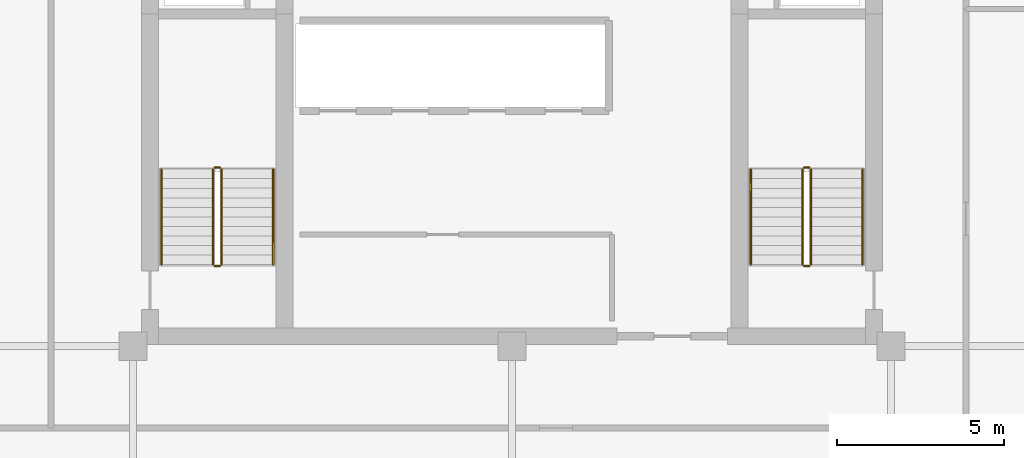
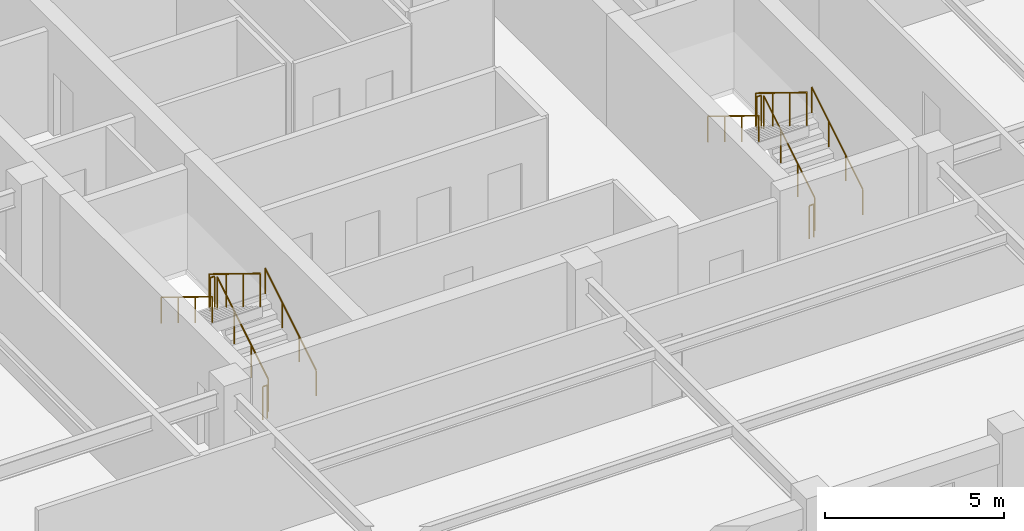
# One storey, part 6 of 6: 12 railings.
"""IFC4 building model written with IfcOpenShell, lengths in metres."""

import ifcopenshell
import ifcopenshell.guid

model = None  # the IFC model being written
_history = None  # IfcOwnerHistory: only IFC2X3 demands one
_inside = {}  # id of a spatial element -> (the spatial element, [elements in it])
_under = {}  # id of a project, library or spatial element -> (it, [spatial elements below it])
_declared = {}  # id of a project -> (the project, [libraries it declares])
_typed = {}  # id of a type object -> (the type object, [elements of that type])
_made_of = {}  # id of a material, layer set ... -> (it, [elements and type objects made of it])


def new_model(schema):
    """Start an empty IFC model of exactly this schema.

    Asked for "IFC4X3", IfcOpenShell would pick the latest addendum, in which some entities
    have other attributes; the version numbers below select the first issue.
    IFC2X3 requires an IfcOwnerHistory on every rooted entity: one is made here for all.
    """
    global model, _history
    if schema == "IFC4X3":
        model = ifcopenshell.file(schema_version=(4, 3, 0, 0))
    else:
        model = ifcopenshell.file(schema=schema)
    _inside.clear()
    _under.clear()
    _declared.clear()
    _typed.clear()
    _made_of.clear()
    _history = None
    if model.schema == "IFC2X3":
        org = make("IfcOrganization", Name="unknown")
        user = make(
            "IfcPersonAndOrganization",
            ThePerson=make("IfcPerson", FamilyName="unknown"),
            TheOrganization=org,
        )
        app = make(
            "IfcApplication",
            ApplicationDeveloper=org,
            Version="unknown",
            ApplicationFullName="unknown",
            ApplicationIdentifier="unknown",
        )
        _history = make(
            "IfcOwnerHistory",
            OwningUser=user,
            OwningApplication=app,
            ChangeAction="ADDED",
            CreationDate=0,
        )
    return model


def make(cls, **values):
    """One entity of the class cls with the attributes given. An attribute that is None is left unset."""
    return model.create_entity(
        cls, **{name: value for name, value in values.items() if value is not None}
    )


def rooted(cls, **values):
    """An entity with a GlobalId (a new one), such as an element, a storey or a relation."""
    return make(cls, GlobalId=ifcopenshell.guid.new(), OwnerHistory=_history, **values)


def si_unit(unit_type, name, prefix=None):
    """IfcSIUnit, for example si_unit("LENGTHUNIT", "METRE", prefix="MILLI")."""
    return make("IfcSIUnit", UnitType=unit_type, Prefix=prefix, Name=name)


def assignment(units):
    """IfcUnitAssignment: the units of a project."""
    return None if units is None else make("IfcUnitAssignment", Units=units)


def point(xyz):
    """IfcCartesianPoint."""
    return None if xyz is None else make("IfcCartesianPoint", Coordinates=xyz)


def direction(xyz):
    """IfcDirection."""
    return None if xyz is None else make("IfcDirection", DirectionRatios=xyz)


def frame(location, z_axis=None, x_axis=None):
    """IfcAxis2Placement3D, a coordinate frame: its origin and axes. An axis left out is left unset."""
    return make(
        "IfcAxis2Placement3D",
        Location=point(location),
        Axis=direction(z_axis),
        RefDirection=direction(x_axis),
    )


def frame_2d(location, x_axis=None):
    """IfcAxis2Placement2D, a coordinate frame in the plane: its origin and x axis."""
    return make(
        "IfcAxis2Placement2D", Location=point(location), RefDirection=direction(x_axis)
    )


def origin():
    """The frame at (0, 0, 0) with its axes left unset."""
    return frame((0.0, 0.0, 0.0))


def origin_2d():
    """The frame at (0, 0) in the plane with its x axis left unset."""
    return frame_2d((0.0, 0.0))


def place(relative_to, where):
    """IfcLocalPlacement: puts the frame where relative to a parent placement (None: the world)."""
    return make(
        "IfcLocalPlacement", PlacementRelTo=relative_to, RelativePlacement=where
    )


def context(
    kind, dimensions, precision=None, world=None, true_north=None, identifier=None
):
    """IfcGeometricRepresentationContext, for example the 3D "Model" context."""
    return make(
        "IfcGeometricRepresentationContext",
        ContextIdentifier=identifier,
        ContextType=kind,
        CoordinateSpaceDimension=dimensions,
        Precision=precision,
        WorldCoordinateSystem=world,
        TrueNorth=true_north,
    )


def subcontext(parent, identifier, kind, view, scale=None):
    """IfcGeometricRepresentationSubContext, for example "Body" below "Model"."""
    return make(
        "IfcGeometricRepresentationSubContext",
        ContextIdentifier=identifier,
        ContextType=kind,
        ParentContext=parent,
        TargetScale=scale,
        TargetView=view,
    )


def project(units=None, contexts=None):
    """IfcProject with its units and contexts."""
    return rooted(
        "IfcProject",
        Name="project",
        RepresentationContexts=contexts,
        UnitsInContext=assignment(units),
    )


def spatial(cls, under=None, at=None, **own):
    """A site, building, storey or space (cls), placed at a placement, below another one or the project."""
    s = rooted(cls, ObjectPlacement=at, **own)
    if under is not None:
        _under.setdefault(under.id(), (under, []))[1].append(s)
    return s


def profile(cls, at=None, kind="AREA", **sizes):
    """A parametric profile (cls). Its sizes go by their IFC names, for example OverallWidth=200.0."""
    return make(cls, ProfileType=kind, Position=at, **sizes)


def circle(**sizes):
    """IfcCircleProfileDef."""
    return profile("IfcCircleProfileDef", **sizes)


def extrude(swept, where, along, depth):
    """IfcExtrudedAreaSolid: the profile swept, set in the frame where, extruded along a direction by depth."""
    return make(
        "IfcExtrudedAreaSolid",
        SweptArea=swept,
        Position=where,
        ExtrudedDirection=direction(along),
        Depth=depth,
    )


def shape(context_of_items, identifier, shape_type, items):
    """IfcShapeRepresentation: the items that make up one representation, for example the "Body"."""
    return make(
        "IfcShapeRepresentation",
        ContextOfItems=context_of_items,
        RepresentationIdentifier=identifier,
        RepresentationType=shape_type,
        Items=items,
    )


def material(Name=None, Category=None):
    """IfcMaterial."""
    return make("IfcMaterial", Name=Name, Category=Category)


def made_of(thing, what):
    """Note that an element or type object is made of a material, layer set ...; save() writes the relation."""
    if what is not None:
        _made_of.setdefault(what.id(), (what, []))[1].append(thing)
    return thing


def type_object(cls, material=None, **own):
    """A type object (cls), such as IfcWallType, which elements share."""
    return made_of(rooted(cls, **own), material)


def element(
    cls,
    number,
    at=None,
    inside=None,
    cuts=None,
    type_object=None,
    material=None,
    context=None,
    identifier="Body",
    shape_type=None,
    held_by="IfcProductDefinitionShape",
    body=None,
    shapes=None,
    **own,
):
    """One element of the class cls, such as IfcWall. Its Tag is "e" and its number.

    at: its placement. inside: the storey or other place that contains it. cuts: it is an
    opening in that element (IfcRelVoidsElement). A single representation is given by context,
    identifier, shape_type and body (its items); several are given by shapes. held_by: the class
    of the entity that holds the representations. save() writes the other relations.
    """
    e = rooted(cls, Tag="e%d" % number, ObjectPlacement=at, **own)
    if body is not None:
        shapes = [shape(context, identifier, shape_type, body)]
    if shapes is not None:
        e.Representation = make(held_by, Representations=shapes)
    if inside is not None:
        _inside.setdefault(inside.id(), (inside, []))[1].append(e)
    if cuts is not None:
        rooted(
            "IfcRelVoidsElement", RelatingBuildingElement=cuts, RelatedOpeningElement=e
        )
    if type_object is not None:
        _typed.setdefault(type_object.id(), (type_object, []))[1].append(e)
    return made_of(e, material)


def aggregate(whole, parts):
    """IfcRelAggregates: a whole, such as a stair, and the parts it consists of."""
    return rooted("IfcRelAggregates", RelatingObject=whole, RelatedObjects=parts)


def save(model, path):
    """Write the relations noted so far, then the file.

    IfcRelAggregates (storeys below a building ...), IfcRelContainedInSpatialStructure (elements
    in a storey), IfcRelDefinesByType, IfcRelAssociatesMaterial and IfcRelDeclares: one each for
    every whole, place, type object, material and project.
    """
    for whole, parts in _under.values():
        aggregate(whole, parts)
    for where, things in _inside.values():
        rooted(
            "IfcRelContainedInSpatialStructure",
            RelatedElements=things,
            RelatingStructure=where,
        )
    for kind, things in _typed.values():
        rooted("IfcRelDefinesByType", RelatedObjects=things, RelatingType=kind)
    for what, things in _made_of.values():
        rooted("IfcRelAssociatesMaterial", RelatedObjects=things, RelatingMaterial=what)
    for by, libraries in _declared.values():
        rooted("IfcRelDeclares", RelatingContext=by, RelatedDefinitions=libraries)
    model.write(path)


model = new_model("IFC4")

# Units and contexts
model_context = context("Model", 3, precision=1e-05, world=origin(), true_north=direction((0.0, 1.0)))
body_context = subcontext(model_context, "Body", "Model", "MODEL_VIEW")
ifc_project = project(units=[si_unit("LENGTHUNIT", "METRE"), si_unit("AREAUNIT", "SQUARE_METRE"), si_unit("VOLUMEUNIT", "CUBIC_METRE"), si_unit("PLANEANGLEUNIT", "RADIAN"), si_unit("MASSUNIT", "GRAM", prefix="KILO")], contexts=[model_context])

# Site, building, storey
site_placement = place(None, origin())
site = spatial("IfcSite", under=ifc_project, at=site_placement, CompositionType="ELEMENT")
building_placement = place(site_placement, origin())
building = spatial("IfcBuilding", under=site, at=building_placement, Name="Nhamokura Convention Tower", CompositionType="ELEMENT")
storey_placement = place(building_placement, frame((0.0, 0.0, 248.5)))
storey = spatial("IfcBuildingStorey", under=building, at=storey_placement, Name="L61", CompositionType="ELEMENT", Elevation=248.5)

# Railings
ifc_material_1 = material(Name="Anodised bronze stainless steel", Category="steel")
railing_type_1 = type_object("IfcRailingType", Name="StairWallHandrail_900", PredefinedType="HANDRAIL", material=ifc_material_1)
railing_1_placement = place(storey_placement, frame((24.85009765625, 23.10009765625, 0.175048828125)))
element("IfcRailing", 1, at=railing_1_placement, inside=storey, type_object=railing_type_1, Name="L61 ST-01 stair handrail 1", PredefinedType="HANDRAIL", context=body_context, shape_type="SweptSolid", body=[
    extrude(circle(Radius=0.02392578125, at=origin_2d()), frame((0.0, 0.0, 0.8759765625), z_axis=(0.0, 0.852159232446, 0.523282564737), x_axis=(-1.0, 0.0, 0.0)), (0.0, 0.0, 1.0), 3.34423828125),
    extrude(circle(Radius=0.02099609375, at=origin_2d()), origin(), (0.0, 0.0, 1.0), 0.851806640625),
    extrude(circle(Radius=0.02099609375, at=origin_2d()), frame((0.0, 0.949951171875, 0.583251953125)), (0.0, 0.0, 1.0), 0.851806640625),
    extrude(circle(Radius=0.02099609375, at=origin_2d()), frame((0.0, 1.89990234375, 1.166748046875)), (0.0, 0.0, 1.0), 0.851806640625),
    extrude(circle(Radius=0.02099609375, at=origin_2d()), frame((0.0, 2.849853515625, 1.75)), (0.0, 0.0, 1.0), 0.851806640625),
])
railing_2_placement = place(storey_placement, frame((21.5, 25.949951171875, 2.10009765625)))
element("IfcRailing", 2, at=railing_2_placement, inside=storey, type_object=railing_type_1, Name="L61 ST-01 stair handrail 2", PredefinedType="HANDRAIL", context=body_context, shape_type="SweptSolid", body=[
    extrude(circle(Radius=0.02392578125, at=origin_2d()), frame((0.0, 0.0, 0.8759765625), z_axis=(0.0, -0.852159232446, 0.523282564737), x_axis=(1.0, 0.0, 0.0)), (0.0, 0.0, 1.0), 3.34423828125),
    extrude(circle(Radius=0.02099609375, at=origin_2d()), origin(), (0.0, 0.0, 1.0), 0.851806640625),
    extrude(circle(Radius=0.02099609375, at=origin_2d()), frame((0.0, -0.949951171875, 0.583251953125)), (0.0, 0.0, 1.0), 0.851806640625),
    extrude(circle(Radius=0.02099609375, at=origin_2d()), frame((0.0, -1.89990234375, 1.166748046875)), (0.0, 0.0, 1.0), 0.851806640625),
    extrude(circle(Radius=0.02099609375, at=origin_2d()), frame((0.0, -2.849853515625, 1.75)), (0.0, 0.0, 1.0), 0.851806640625),
])
railing_3_placement = place(storey_placement, frame((42.5, 23.10009765625, 0.175048828125)))
element("IfcRailing", 3, at=railing_3_placement, inside=storey, type_object=railing_type_1, Name="L61 ST-02 stair handrail 1", PredefinedType="HANDRAIL", context=body_context, shape_type="SweptSolid", body=[
    extrude(circle(Radius=0.02392578125, at=origin_2d()), frame((0.0, 0.0, 0.8759765625), z_axis=(0.0, 0.852159232446, 0.523282564737), x_axis=(-1.0, 0.0, 0.0)), (0.0, 0.0, 1.0), 3.34423828125),
    extrude(circle(Radius=0.02099609375, at=origin_2d()), origin(), (0.0, 0.0, 1.0), 0.851806640625),
    extrude(circle(Radius=0.02099609375, at=origin_2d()), frame((0.0, 0.949951171875, 0.583251953125)), (0.0, 0.0, 1.0), 0.851806640625),
    extrude(circle(Radius=0.02099609375, at=origin_2d()), frame((0.0, 1.89990234375, 1.166748046875)), (0.0, 0.0, 1.0), 0.851806640625),
    extrude(circle(Radius=0.02099609375, at=origin_2d()), frame((0.0, 2.849853515625, 1.75)), (0.0, 0.0, 1.0), 0.851806640625),
])
railing_4_placement = place(storey_placement, frame((39.14990234375, 25.949951171875, 2.10009765625)))
element("IfcRailing", 4, at=railing_4_placement, inside=storey, type_object=railing_type_1, Name="L61 ST-02 stair handrail 2", PredefinedType="HANDRAIL", context=body_context, shape_type="SweptSolid", body=[
    extrude(circle(Radius=0.02392578125, at=origin_2d()), frame((0.0, 0.0, 0.8759765625), z_axis=(0.0, -0.852159232446, 0.523282564737), x_axis=(1.0, 0.0, 0.0)), (0.0, 0.0, 1.0), 3.34423828125),
    extrude(circle(Radius=0.02099609375, at=origin_2d()), origin(), (0.0, 0.0, 1.0), 0.851806640625),
    extrude(circle(Radius=0.02099609375, at=origin_2d()), frame((0.0, -0.949951171875, 0.583251953125)), (0.0, 0.0, 1.0), 0.851806640625),
    extrude(circle(Radius=0.02099609375, at=origin_2d()), frame((0.0, -1.89990234375, 1.166748046875)), (0.0, 0.0, 1.0), 0.851806640625),
    extrude(circle(Radius=0.02099609375, at=origin_2d()), frame((0.0, -2.849853515625, 1.75)), (0.0, 0.0, 1.0), 0.851806640625),
])
ifc_material_2 = material(Name="Painted tubular steel", Category="steel")
railing_type_2 = type_object("IfcRailingType", Name="StairWellGuardrail_1150", PredefinedType="GUARDRAIL", material=ifc_material_2)
railing_5_placement = place(storey_placement, frame((23.300048828125, 23.10009765625, 0.175048828125)))
element("IfcRailing", 5, at=railing_5_placement, inside=storey, type_object=railing_type_2, Name="L61 ST-01 stair guard 1", PredefinedType="GUARDRAIL", context=body_context, shape_type="SweptSolid", body=[
    extrude(circle(Radius=0.02392578125, at=origin_2d()), frame((0.0, 0.0, 1.1259765625), z_axis=(0.0, 0.852159232446, 0.523282564737), x_axis=(-1.0, 0.0, 0.0)), (0.0, 0.0, 1.0), 3.34423828125),
    extrude(circle(Radius=0.02099609375, at=origin_2d()), origin(), (0.0, 0.0, 1.0), 1.101806640625),
    extrude(circle(Radius=0.02099609375, at=origin_2d()), frame((0.0, 0.949951171875, 0.583251953125)), (0.0, 0.0, 1.0), 1.101806640625),
    extrude(circle(Radius=0.02099609375, at=origin_2d()), frame((0.0, 1.89990234375, 1.166748046875)), (0.0, 0.0, 1.0), 1.101806640625),
    extrude(circle(Radius=0.02099609375, at=origin_2d()), frame((0.0, 2.849853515625, 1.75)), (0.0, 0.0, 1.0), 1.101806640625),
])
railing_6_placement = place(storey_placement, frame((23.25, 26.0, 1.925048828125)))
element("IfcRailing", 6, at=railing_6_placement, inside=storey, type_object=railing_type_2, Name="L61 ST-01 stair guard 2", PredefinedType="GUARDRAIL", context=body_context, shape_type="SweptSolid", body=[
    extrude(circle(Radius=0.02392578125, at=origin_2d()), frame((0.0, 0.0, 1.1259765625), z_axis=(-1.0, 0.0, 0.0), x_axis=(0.0, -1.0, 0.0)), (0.0, 0.0, 1.0), 0.14990234375),
    extrude(circle(Radius=0.02099609375, at=origin_2d()), origin(), (0.0, 0.0, 1.0), 1.101806640625),
    extrude(circle(Radius=0.02099609375, at=origin_2d()), frame((-0.14990234375, 0.0, 0.0)), (0.0, 0.0, 1.0), 1.101806640625),
])
railing_7_placement = place(storey_placement, frame((23.050048828125, 25.949951171875, 2.10009765625)))
element("IfcRailing", 7, at=railing_7_placement, inside=storey, type_object=railing_type_2, Name="L61 ST-01 stair guard 3", PredefinedType="GUARDRAIL", context=body_context, shape_type="SweptSolid", body=[
    extrude(circle(Radius=0.02392578125, at=origin_2d()), frame((0.0, 0.0, 1.1259765625), z_axis=(0.0, -0.852159232446, 0.523282564737), x_axis=(1.0, 0.0, 0.0)), (0.0, 0.0, 1.0), 3.34423828125),
    extrude(circle(Radius=0.02099609375, at=origin_2d()), origin(), (0.0, 0.0, 1.0), 1.101806640625),
    extrude(circle(Radius=0.02099609375, at=origin_2d()), frame((0.0, -0.949951171875, 0.583251953125)), (0.0, 0.0, 1.0), 1.101806640625),
    extrude(circle(Radius=0.02099609375, at=origin_2d()), frame((0.0, -1.89990234375, 1.166748046875)), (0.0, 0.0, 1.0), 1.101806640625),
    extrude(circle(Radius=0.02099609375, at=origin_2d()), frame((0.0, -2.849853515625, 1.75)), (0.0, 0.0, 1.0), 1.101806640625),
])
railing_8_placement = place(storey_placement, frame((23.25, 23.050048828125, 0.0)))
element("IfcRailing", 8, at=railing_8_placement, inside=storey, type_object=railing_type_2, Name="L61 ST-01 stair guard 4", PredefinedType="GUARDRAIL", context=body_context, shape_type="SweptSolid", body=[
    extrude(circle(Radius=0.02392578125, at=origin_2d()), frame((0.0, 0.0, 1.1259765625), z_axis=(-1.0, 0.0, 0.0), x_axis=(0.0, -1.0, 0.0)), (0.0, 0.0, 1.0), 0.14990234375),
    extrude(circle(Radius=0.02099609375, at=origin_2d()), origin(), (0.0, 0.0, 1.0), 1.101806640625),
    extrude(circle(Radius=0.02099609375, at=origin_2d()), frame((-0.14990234375, 0.0, 0.0)), (0.0, 0.0, 1.0), 1.101806640625),
])
railing_9_placement = place(storey_placement, frame((40.949951171875, 23.10009765625, 0.175048828125)))
element("IfcRailing", 9, at=railing_9_placement, inside=storey, type_object=railing_type_2, Name="L61 ST-02 stair guard 1", PredefinedType="GUARDRAIL", context=body_context, shape_type="SweptSolid", body=[
    extrude(circle(Radius=0.02392578125, at=origin_2d()), frame((0.0, 0.0, 1.1259765625), z_axis=(0.0, 0.852159232446, 0.523282564737), x_axis=(-1.0, 0.0, 0.0)), (0.0, 0.0, 1.0), 3.34423828125),
    extrude(circle(Radius=0.02099609375, at=origin_2d()), origin(), (0.0, 0.0, 1.0), 1.101806640625),
    extrude(circle(Radius=0.02099609375, at=origin_2d()), frame((0.0, 0.949951171875, 0.583251953125)), (0.0, 0.0, 1.0), 1.101806640625),
    extrude(circle(Radius=0.02099609375, at=origin_2d()), frame((0.0, 1.89990234375, 1.166748046875)), (0.0, 0.0, 1.0), 1.101806640625),
    extrude(circle(Radius=0.02099609375, at=origin_2d()), frame((0.0, 2.849853515625, 1.75)), (0.0, 0.0, 1.0), 1.101806640625),
])
railing_10_placement = place(storey_placement, frame((40.89990234375, 26.0, 1.925048828125)))
element("IfcRailing", 10, at=railing_10_placement, inside=storey, type_object=railing_type_2, Name="L61 ST-02 stair guard 2", PredefinedType="GUARDRAIL", context=body_context, shape_type="SweptSolid", body=[
    extrude(circle(Radius=0.02392578125, at=origin_2d()), frame((0.0, 0.0, 1.1259765625), z_axis=(-1.0, 0.0, 0.0), x_axis=(0.0, -1.0, 0.0)), (0.0, 0.0, 1.0), 0.14990234375),
    extrude(circle(Radius=0.02099609375, at=origin_2d()), origin(), (0.0, 0.0, 1.0), 1.101806640625),
    extrude(circle(Radius=0.02099609375, at=origin_2d()), frame((-0.14990234375, 0.0, 0.0)), (0.0, 0.0, 1.0), 1.101806640625),
])
railing_11_placement = place(storey_placement, frame((40.699951171875, 25.949951171875, 2.10009765625)))
element("IfcRailing", 11, at=railing_11_placement, inside=storey, type_object=railing_type_2, Name="L61 ST-02 stair guard 3", PredefinedType="GUARDRAIL", context=body_context, shape_type="SweptSolid", body=[
    extrude(circle(Radius=0.02392578125, at=origin_2d()), frame((0.0, 0.0, 1.1259765625), z_axis=(0.0, -0.852159232446, 0.523282564737), x_axis=(1.0, 0.0, 0.0)), (0.0, 0.0, 1.0), 3.34423828125),
    extrude(circle(Radius=0.02099609375, at=origin_2d()), origin(), (0.0, 0.0, 1.0), 1.101806640625),
    extrude(circle(Radius=0.02099609375, at=origin_2d()), frame((0.0, -0.949951171875, 0.583251953125)), (0.0, 0.0, 1.0), 1.101806640625),
    extrude(circle(Radius=0.02099609375, at=origin_2d()), frame((0.0, -1.89990234375, 1.166748046875)), (0.0, 0.0, 1.0), 1.101806640625),
    extrude(circle(Radius=0.02099609375, at=origin_2d()), frame((0.0, -2.849853515625, 1.75)), (0.0, 0.0, 1.0), 1.101806640625),
])
railing_12_placement = place(storey_placement, frame((40.89990234375, 23.050048828125, 0.0)))
element("IfcRailing", 12, at=railing_12_placement, inside=storey, type_object=railing_type_2, Name="L61 ST-02 stair guard 4", PredefinedType="GUARDRAIL", context=body_context, shape_type="SweptSolid", body=[
    extrude(circle(Radius=0.02392578125, at=origin_2d()), frame((0.0, 0.0, 1.1259765625), z_axis=(-1.0, 0.0, 0.0), x_axis=(0.0, -1.0, 0.0)), (0.0, 0.0, 1.0), 0.14990234375),
    extrude(circle(Radius=0.02099609375, at=origin_2d()), origin(), (0.0, 0.0, 1.0), 1.101806640625),
    extrude(circle(Radius=0.02099609375, at=origin_2d()), frame((-0.14990234375, 0.0, 0.0)), (0.0, 0.0, 1.0), 1.101806640625),
])

save(model, "model.ifc")
